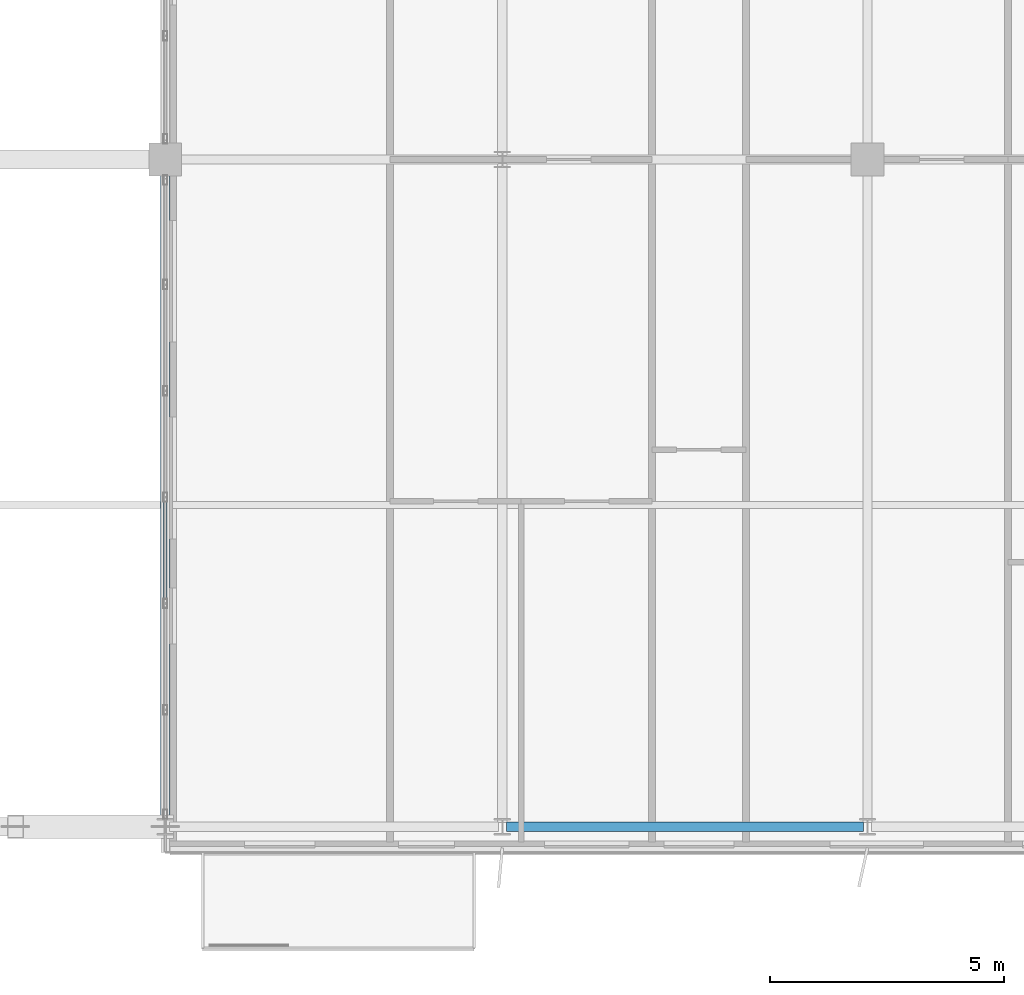
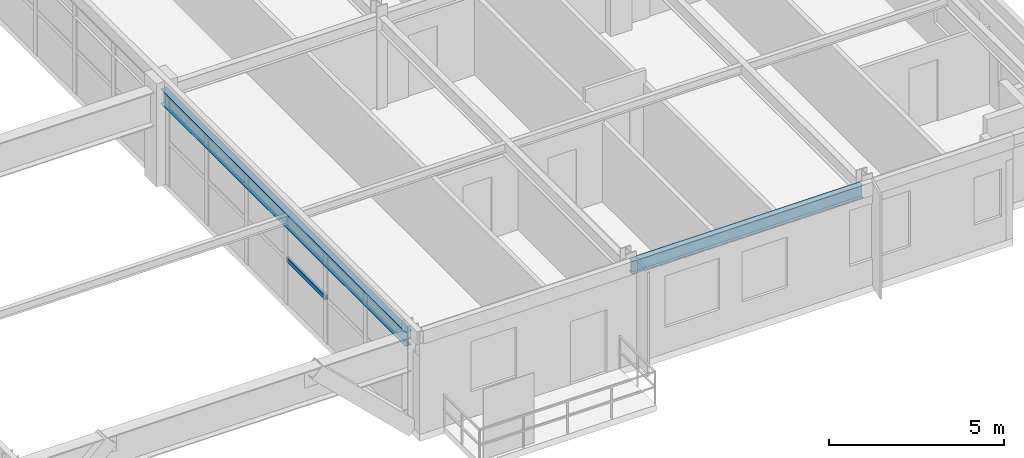
# One storey, part 13 of 37: 2 beams, 1 member, 1 element without a shape of its own.
"""IFC4 building model written with IfcOpenShell, lengths in metres."""

import ifcopenshell
import ifcopenshell.guid

model = None  # the IFC model being written
_history = None  # IfcOwnerHistory: only IFC2X3 demands one
_inside = {}  # id of a spatial element -> (the spatial element, [elements in it])
_under = {}  # id of a project, library or spatial element -> (it, [spatial elements below it])
_declared = {}  # id of a project -> (the project, [libraries it declares])
_typed = {}  # id of a type object -> (the type object, [elements of that type])
_made_of = {}  # id of a material, layer set ... -> (it, [elements and type objects made of it])


def new_model(schema):
    """Start an empty IFC model of exactly this schema.

    Asked for "IFC4X3", IfcOpenShell would pick the latest addendum, in which some entities
    have other attributes; the version numbers below select the first issue.
    IFC2X3 requires an IfcOwnerHistory on every rooted entity: one is made here for all.
    """
    global model, _history
    if schema == "IFC4X3":
        model = ifcopenshell.file(schema_version=(4, 3, 0, 0))
    else:
        model = ifcopenshell.file(schema=schema)
    _inside.clear()
    _under.clear()
    _declared.clear()
    _typed.clear()
    _made_of.clear()
    _history = None
    if model.schema == "IFC2X3":
        org = make("IfcOrganization", Name="unknown")
        user = make(
            "IfcPersonAndOrganization",
            ThePerson=make("IfcPerson", FamilyName="unknown"),
            TheOrganization=org,
        )
        app = make(
            "IfcApplication",
            ApplicationDeveloper=org,
            Version="unknown",
            ApplicationFullName="unknown",
            ApplicationIdentifier="unknown",
        )
        _history = make(
            "IfcOwnerHistory",
            OwningUser=user,
            OwningApplication=app,
            ChangeAction="ADDED",
            CreationDate=0,
        )
    return model


def make(cls, **values):
    """One entity of the class cls with the attributes given. An attribute that is None is left unset."""
    return model.create_entity(
        cls, **{name: value for name, value in values.items() if value is not None}
    )


def rooted(cls, **values):
    """An entity with a GlobalId (a new one), such as an element, a storey or a relation."""
    return make(cls, GlobalId=ifcopenshell.guid.new(), OwnerHistory=_history, **values)


def si_unit(unit_type, name, prefix=None):
    """IfcSIUnit, for example si_unit("LENGTHUNIT", "METRE", prefix="MILLI")."""
    return make("IfcSIUnit", UnitType=unit_type, Prefix=prefix, Name=name)


def assignment(units):
    """IfcUnitAssignment: the units of a project."""
    return None if units is None else make("IfcUnitAssignment", Units=units)


def point(xyz):
    """IfcCartesianPoint."""
    return None if xyz is None else make("IfcCartesianPoint", Coordinates=xyz)


def direction(xyz):
    """IfcDirection."""
    return None if xyz is None else make("IfcDirection", DirectionRatios=xyz)


def frame(location, z_axis=None, x_axis=None):
    """IfcAxis2Placement3D, a coordinate frame: its origin and axes. An axis left out is left unset."""
    return make(
        "IfcAxis2Placement3D",
        Location=point(location),
        Axis=direction(z_axis),
        RefDirection=direction(x_axis),
    )


def frame_2d(location, x_axis=None):
    """IfcAxis2Placement2D, a coordinate frame in the plane: its origin and x axis."""
    return make(
        "IfcAxis2Placement2D", Location=point(location), RefDirection=direction(x_axis)
    )


def origin():
    """The frame at (0, 0, 0) with its axes left unset."""
    return frame((0.0, 0.0, 0.0))


def origin_2d():
    """The frame at (0, 0) in the plane with its x axis left unset."""
    return frame_2d((0.0, 0.0))


def place(relative_to, where):
    """IfcLocalPlacement: puts the frame where relative to a parent placement (None: the world)."""
    return make(
        "IfcLocalPlacement", PlacementRelTo=relative_to, RelativePlacement=where
    )


def context(
    kind, dimensions, precision=None, world=None, true_north=None, identifier=None
):
    """IfcGeometricRepresentationContext, for example the 3D "Model" context."""
    return make(
        "IfcGeometricRepresentationContext",
        ContextIdentifier=identifier,
        ContextType=kind,
        CoordinateSpaceDimension=dimensions,
        Precision=precision,
        WorldCoordinateSystem=world,
        TrueNorth=true_north,
    )


def subcontext(parent, identifier, kind, view, scale=None):
    """IfcGeometricRepresentationSubContext, for example "Body" below "Model"."""
    return make(
        "IfcGeometricRepresentationSubContext",
        ContextIdentifier=identifier,
        ContextType=kind,
        ParentContext=parent,
        TargetScale=scale,
        TargetView=view,
    )


def project(units=None, contexts=None):
    """IfcProject with its units and contexts."""
    return rooted(
        "IfcProject",
        Name="project",
        RepresentationContexts=contexts,
        UnitsInContext=assignment(units),
    )


def spatial(cls, under=None, at=None, **own):
    """A site, building, storey or space (cls), placed at a placement, below another one or the project."""
    s = rooted(cls, ObjectPlacement=at, **own)
    if under is not None:
        _under.setdefault(under.id(), (under, []))[1].append(s)
    return s


def profile(cls, at=None, kind="AREA", **sizes):
    """A parametric profile (cls). Its sizes go by their IFC names, for example OverallWidth=200.0."""
    return make(cls, ProfileType=kind, Position=at, **sizes)


def hollow_rectangle(**sizes):
    """IfcRectangleHollowProfileDef."""
    return profile("IfcRectangleHollowProfileDef", **sizes)


def i_section(**sizes):
    """IfcIShapeProfileDef."""
    return profile("IfcIShapeProfileDef", **sizes)


def extrude(swept, where, along, depth):
    """IfcExtrudedAreaSolid: the profile swept, set in the frame where, extruded along a direction by depth."""
    return make(
        "IfcExtrudedAreaSolid",
        SweptArea=swept,
        Position=where,
        ExtrudedDirection=direction(along),
        Depth=depth,
    )


def shape(context_of_items, identifier, shape_type, items):
    """IfcShapeRepresentation: the items that make up one representation, for example the "Body"."""
    return make(
        "IfcShapeRepresentation",
        ContextOfItems=context_of_items,
        RepresentationIdentifier=identifier,
        RepresentationType=shape_type,
        Items=items,
    )


def source(mapping_origin, context_of_items, identifier, shape_type, items):
    """IfcRepresentationMap: a shape defined once, which mapped items show again and again."""
    return make(
        "IfcRepresentationMap",
        MappingOrigin=mapping_origin,
        MappedRepresentation=shape(context_of_items, identifier, shape_type, items),
    )


def transform(
    local_origin,
    x_axis=None,
    y_axis=None,
    z_axis=None,
    scale=None,
    scale2=None,
    scale3=None,
    uniform=True,
):
    """IfcCartesianTransformationOperator3D, or its non-uniform kind. x_axis, y_axis, z_axis: its Axis1, 2, 3."""
    if uniform:
        return make(
            "IfcCartesianTransformationOperator3D",
            Axis1=direction(x_axis),
            Axis2=direction(y_axis),
            LocalOrigin=point(local_origin),
            Scale=scale,
            Axis3=direction(z_axis),
        )
    return make(
        "IfcCartesianTransformationOperator3DnonUniform",
        Axis1=direction(x_axis),
        Axis2=direction(y_axis),
        LocalOrigin=point(local_origin),
        Scale=scale,
        Axis3=direction(z_axis),
        Scale2=scale2,
        Scale3=scale3,
    )


def mapped(mapping_source, mapping_target):
    """IfcMappedItem: shows the shape of a source again, moved by a transform."""
    return make(
        "IfcMappedItem", MappingSource=mapping_source, MappingTarget=mapping_target
    )


def material(Name=None, Category=None):
    """IfcMaterial."""
    return make("IfcMaterial", Name=Name, Category=Category)


def material_profile(
    of_material, cross_section, Name=None, Category=None, Priority=None
):
    """IfcMaterialProfile: a cross section and its material."""
    return make(
        "IfcMaterialProfile",
        Name=Name,
        Material=of_material,
        Profile=cross_section,
        Priority=Priority,
        Category=Category,
    )


def profile_set(profiles, Name=None, composite=None):
    """IfcMaterialProfileSet."""
    return make(
        "IfcMaterialProfileSet",
        Name=Name,
        MaterialProfiles=profiles,
        CompositeProfile=composite,
    )


def made_of(thing, what):
    """Note that an element or type object is made of a material, layer set ...; save() writes the relation."""
    if what is not None:
        _made_of.setdefault(what.id(), (what, []))[1].append(thing)
    return thing


def type_object(cls, material=None, **own):
    """A type object (cls), such as IfcWallType, which elements share."""
    return made_of(rooted(cls, **own), material)


def element(
    cls,
    number,
    at=None,
    inside=None,
    cuts=None,
    type_object=None,
    material=None,
    context=None,
    identifier="Body",
    shape_type=None,
    held_by="IfcProductDefinitionShape",
    body=None,
    shapes=None,
    **own,
):
    """One element of the class cls, such as IfcWall. Its Tag is "e" and its number.

    at: its placement. inside: the storey or other place that contains it. cuts: it is an
    opening in that element (IfcRelVoidsElement). A single representation is given by context,
    identifier, shape_type and body (its items); several are given by shapes. held_by: the class
    of the entity that holds the representations. save() writes the other relations.
    """
    e = rooted(cls, Tag="e%d" % number, ObjectPlacement=at, **own)
    if body is not None:
        shapes = [shape(context, identifier, shape_type, body)]
    if shapes is not None:
        e.Representation = make(held_by, Representations=shapes)
    if inside is not None:
        _inside.setdefault(inside.id(), (inside, []))[1].append(e)
    if cuts is not None:
        rooted(
            "IfcRelVoidsElement", RelatingBuildingElement=cuts, RelatedOpeningElement=e
        )
    if type_object is not None:
        _typed.setdefault(type_object.id(), (type_object, []))[1].append(e)
    return made_of(e, material)


def aggregate(whole, parts):
    """IfcRelAggregates: a whole, such as a stair, and the parts it consists of."""
    return rooted("IfcRelAggregates", RelatingObject=whole, RelatedObjects=parts)


def save(model, path):
    """Write the relations noted so far, then the file.

    IfcRelAggregates (storeys below a building ...), IfcRelContainedInSpatialStructure (elements
    in a storey), IfcRelDefinesByType, IfcRelAssociatesMaterial and IfcRelDeclares: one each for
    every whole, place, type object, material and project.
    """
    for whole, parts in _under.values():
        aggregate(whole, parts)
    for where, things in _inside.values():
        rooted(
            "IfcRelContainedInSpatialStructure",
            RelatedElements=things,
            RelatingStructure=where,
        )
    for kind, things in _typed.values():
        rooted("IfcRelDefinesByType", RelatedObjects=things, RelatingType=kind)
    for what, things in _made_of.values():
        rooted("IfcRelAssociatesMaterial", RelatedObjects=things, RelatingMaterial=what)
    for by, libraries in _declared.values():
        rooted("IfcRelDeclares", RelatingContext=by, RelatedDefinitions=libraries)
    model.write(path)


model = new_model("IFC4")

# Units and contexts
model_context = context("Model", 3, precision=1e-05, world=origin(), true_north=direction((0.0, 1.0)))
body_context = subcontext(model_context, "Body", "Model", "MODEL_VIEW")
ifc_project = project(units=[si_unit("LENGTHUNIT", "METRE"), si_unit("AREAUNIT", "SQUARE_METRE"), si_unit("VOLUMEUNIT", "CUBIC_METRE"), si_unit("PLANEANGLEUNIT", "RADIAN"), si_unit("MASSUNIT", "GRAM", prefix="KILO")], contexts=[model_context])

# Site, building, storey
site_placement = place(None, origin())
site = spatial("IfcSite", under=ifc_project, at=site_placement, CompositionType="ELEMENT")
building_placement = place(site_placement, origin())
building = spatial("IfcBuilding", under=site, at=building_placement, Name="Trelvane Seafront Commons", CompositionType="ELEMENT")
storey_placement = place(building_placement, frame((0.0, 0.0, 201.300048828125)))
storey = spatial("IfcBuildingStorey", under=building, at=storey_placement, Name="L52", CompositionType="ELEMENT", Elevation=201.300048828125)

# Beams
ifc_material_1 = material(Name="Steel SM355 (S355)", Category="steel")
ifc_material_profile_1 = material_profile(ifc_material_1, i_section(OverallWidth=0.199951171875, OverallDepth=0.449951171875, WebThickness=0.009033203125, FlangeThickness=0.013916015625, at=origin_2d()), Name="H-450x200x9x14")
ifc_profile_set_1 = profile_set([ifc_material_profile_1], Name="Steel SM355 (S355)")
beam_type_1 = type_object("IfcBeamType", Name="STR-SPD-H450", PredefinedType="SPANDREL", material=ifc_profile_set_1)
shared_shape_1 = source(origin(), body_context, "Body", "SweptSolid", [
    extrude(i_section(OverallWidth=0.199951171875, OverallDepth=0.449951171875, WebThickness=0.009033203125, FlangeThickness=0.013916015625, at=origin_2d()), origin(), (0.0, 0.0, 1.0), 7.625),
])
beam_1_placement = place(storey_placement, frame((51.08740234375, 3.949951171875, 2.994873046875), z_axis=(1.0, 0.0, 0.0), x_axis=(0.0, 1.0, 0.0)))
element("IfcBeam", 1, at=beam_1_placement, inside=storey, type_object=beam_type_1, Name="L52 Primary Girder G-06", PredefinedType="SPANDREL", context=body_context, shape_type="MappedRepresentation", body=[
    mapped(shared_shape_1, transform((0.0, 0.0, 0.0), x_axis=(1.0, 0.0, 0.0), y_axis=(0.0, 1.0, 0.0), z_axis=(0.0, 0.0, 1.0), scale=1.0)),
])
ifc_material_profile_2 = material_profile(ifc_material_1, i_section(OverallWidth=0.199951171875, OverallDepth=0.5, WebThickness=0.010009765625, FlangeThickness=0.01611328125, at=origin_2d()), Name="H-500x200x10x16")
ifc_profile_set_2 = profile_set([ifc_material_profile_2], Name="Steel SM355 (S355)")
beam_type_2 = type_object("IfcBeamType", Name="STR-BM-H500", PredefinedType="BEAM", material=ifc_profile_set_2)
shared_shape_2 = source(origin(), body_context, "Body", "SweptSolid", [
    extrude(i_section(OverallWidth=0.199951171875, OverallDepth=0.5, WebThickness=0.010009765625, FlangeThickness=0.01611328125, at=origin_2d()), origin(), (0.0, 0.0, 1.0), 14.012451171875),
])
beam_2_placement = place(storey_placement, frame((43.800048828125, 4.03759765625, 2.969970703125), z_axis=(0.0, 1.0, 0.0), x_axis=(-1.0, 0.0, 0.0)))
element("IfcBeam", 2, at=beam_2_placement, inside=storey, type_object=beam_type_2, Name="L52 Primary Girder G-41", PredefinedType="BEAM", context=body_context, shape_type="MappedRepresentation", body=[
    mapped(shared_shape_2, transform((0.0, 0.0, 0.0), x_axis=(1.0, 0.0, 0.0), y_axis=(0.0, 1.0, 0.0), z_axis=(0.0, 0.0, 1.0), scale=1.0)),
])

# Curtain wall, member
ifc_material_2 = material(Name="Anodised pale-silver aluminium", Category="aluminium")
curtain_wall_type = type_object("IfcCurtainWallType", Name="ARCH-CW3-PORTAL", PredefinedType="NOTDEFINED", material=ifc_material_2)
curtain_wall_placement = place(storey_placement, origin())
curtain_wall = element("IfcCurtainWall", 3, at=curtain_wall_placement, inside=storey, type_object=curtain_wall_type, Name="CW-L52-VP-0095", PredefinedType="NOTDEFINED")
ifc_material_profile_3 = material_profile(ifc_material_2, hollow_rectangle(XDim=0.080078125, YDim=0.159912109375, WallThickness=0.00439453125, at=origin_2d()), Name="TRAN-80x160x4.5")
ifc_profile_set_3 = profile_set([ifc_material_profile_3], Name="Anodised pale-silver aluminium")
member_type = type_object("IfcMemberType", Name="ARCH-CW-TRAN-160", PredefinedType="USERDEFINED", material=ifc_profile_set_3)
shared_shape_3 = source(origin(), body_context, "Body", "SweptSolid", [
    extrude(hollow_rectangle(XDim=0.080078125, YDim=0.159912109375, WallThickness=0.00439453125, at=origin_2d()), origin(), (0.0, 0.0, 1.0), 2.246826171875),
])
member_placement = place(storey_placement, frame((43.800048828125, 10.9755859375, 1.5458984375), z_axis=(0.0, -1.0, 0.0), x_axis=(1.0, 0.0, 0.0)))
member = element("IfcMember", 4, at=member_placement, type_object=member_type, Name="CW-L52-VP-0095-T03", ObjectType="TRANSOM", PredefinedType="USERDEFINED", context=body_context, shape_type="MappedRepresentation", body=[
    mapped(shared_shape_3, transform((0.0, 0.0, 0.0), x_axis=(1.0, 0.0, 0.0), y_axis=(0.0, 1.0, 0.0), z_axis=(0.0, 0.0, 1.0), scale=1.0)),
])
aggregate(curtain_wall, [member])

save(model, "model.ifc")
